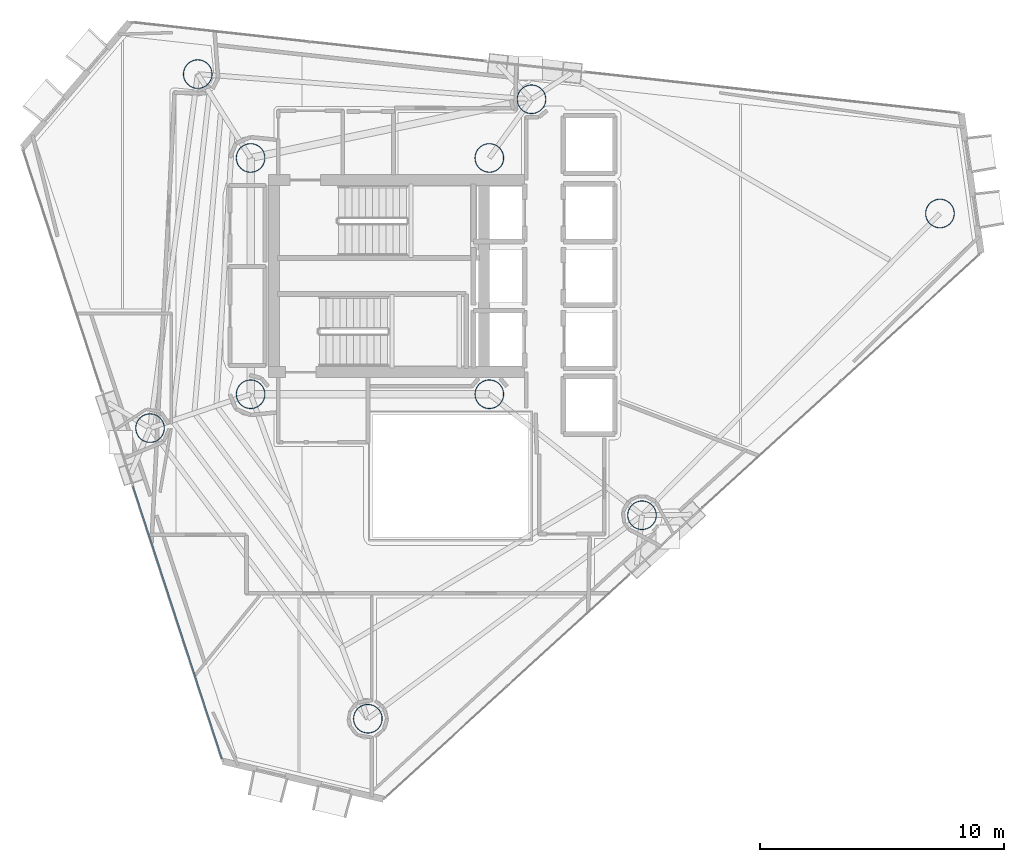
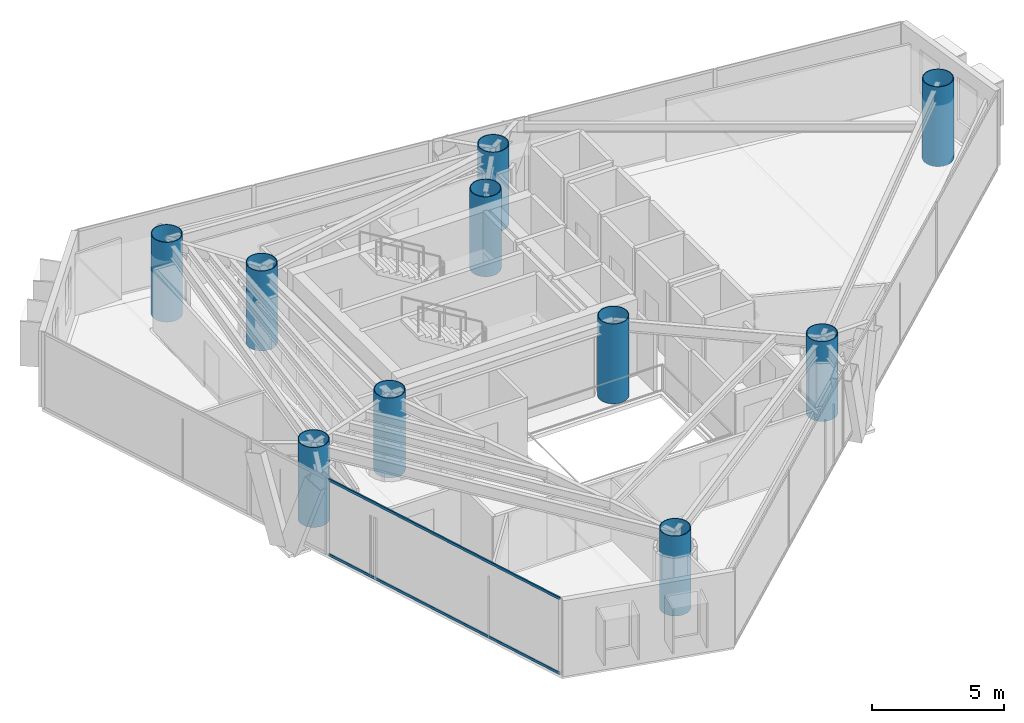
# One storey, part 1 of 24: 10 columns, 2 members, 1 element without a shape of its own.
"""IFC4 building model written with IfcOpenShell, lengths in metres."""

import ifcopenshell
import ifcopenshell.guid

model = None  # the IFC model being written
_history = None  # IfcOwnerHistory: only IFC2X3 demands one
_inside = {}  # id of a spatial element -> (the spatial element, [elements in it])
_under = {}  # id of a project, library or spatial element -> (it, [spatial elements below it])
_declared = {}  # id of a project -> (the project, [libraries it declares])
_typed = {}  # id of a type object -> (the type object, [elements of that type])
_made_of = {}  # id of a material, layer set ... -> (it, [elements and type objects made of it])


def new_model(schema):
    """Start an empty IFC model of exactly this schema.

    Asked for "IFC4X3", IfcOpenShell would pick the latest addendum, in which some entities
    have other attributes; the version numbers below select the first issue.
    IFC2X3 requires an IfcOwnerHistory on every rooted entity: one is made here for all.
    """
    global model, _history
    if schema == "IFC4X3":
        model = ifcopenshell.file(schema_version=(4, 3, 0, 0))
    else:
        model = ifcopenshell.file(schema=schema)
    _inside.clear()
    _under.clear()
    _declared.clear()
    _typed.clear()
    _made_of.clear()
    _history = None
    if model.schema == "IFC2X3":
        org = make("IfcOrganization", Name="unknown")
        user = make(
            "IfcPersonAndOrganization",
            ThePerson=make("IfcPerson", FamilyName="unknown"),
            TheOrganization=org,
        )
        app = make(
            "IfcApplication",
            ApplicationDeveloper=org,
            Version="unknown",
            ApplicationFullName="unknown",
            ApplicationIdentifier="unknown",
        )
        _history = make(
            "IfcOwnerHistory",
            OwningUser=user,
            OwningApplication=app,
            ChangeAction="ADDED",
            CreationDate=0,
        )
    return model


def make(cls, **values):
    """One entity of the class cls with the attributes given. An attribute that is None is left unset."""
    return model.create_entity(
        cls, **{name: value for name, value in values.items() if value is not None}
    )


def rooted(cls, **values):
    """An entity with a GlobalId (a new one), such as an element, a storey or a relation."""
    return make(cls, GlobalId=ifcopenshell.guid.new(), OwnerHistory=_history, **values)


def si_unit(unit_type, name, prefix=None):
    """IfcSIUnit, for example si_unit("LENGTHUNIT", "METRE", prefix="MILLI")."""
    return make("IfcSIUnit", UnitType=unit_type, Prefix=prefix, Name=name)


def assignment(units):
    """IfcUnitAssignment: the units of a project."""
    return None if units is None else make("IfcUnitAssignment", Units=units)


def point(xyz):
    """IfcCartesianPoint."""
    return None if xyz is None else make("IfcCartesianPoint", Coordinates=xyz)


def direction(xyz):
    """IfcDirection."""
    return None if xyz is None else make("IfcDirection", DirectionRatios=xyz)


def frame(location, z_axis=None, x_axis=None):
    """IfcAxis2Placement3D, a coordinate frame: its origin and axes. An axis left out is left unset."""
    return make(
        "IfcAxis2Placement3D",
        Location=point(location),
        Axis=direction(z_axis),
        RefDirection=direction(x_axis),
    )


def frame_2d(location, x_axis=None):
    """IfcAxis2Placement2D, a coordinate frame in the plane: its origin and x axis."""
    return make(
        "IfcAxis2Placement2D", Location=point(location), RefDirection=direction(x_axis)
    )


def origin():
    """The frame at (0, 0, 0) with its axes left unset."""
    return frame((0.0, 0.0, 0.0))


def origin_2d():
    """The frame at (0, 0) in the plane with its x axis left unset."""
    return frame_2d((0.0, 0.0))


def place(relative_to, where):
    """IfcLocalPlacement: puts the frame where relative to a parent placement (None: the world)."""
    return make(
        "IfcLocalPlacement", PlacementRelTo=relative_to, RelativePlacement=where
    )


def context(
    kind, dimensions, precision=None, world=None, true_north=None, identifier=None
):
    """IfcGeometricRepresentationContext, for example the 3D "Model" context."""
    return make(
        "IfcGeometricRepresentationContext",
        ContextIdentifier=identifier,
        ContextType=kind,
        CoordinateSpaceDimension=dimensions,
        Precision=precision,
        WorldCoordinateSystem=world,
        TrueNorth=true_north,
    )


def subcontext(parent, identifier, kind, view, scale=None):
    """IfcGeometricRepresentationSubContext, for example "Body" below "Model"."""
    return make(
        "IfcGeometricRepresentationSubContext",
        ContextIdentifier=identifier,
        ContextType=kind,
        ParentContext=parent,
        TargetScale=scale,
        TargetView=view,
    )


def project(units=None, contexts=None):
    """IfcProject with its units and contexts."""
    return rooted(
        "IfcProject",
        Name="project",
        RepresentationContexts=contexts,
        UnitsInContext=assignment(units),
    )


def spatial(cls, under=None, at=None, **own):
    """A site, building, storey or space (cls), placed at a placement, below another one or the project."""
    s = rooted(cls, ObjectPlacement=at, **own)
    if under is not None:
        _under.setdefault(under.id(), (under, []))[1].append(s)
    return s


def profile(cls, at=None, kind="AREA", **sizes):
    """A parametric profile (cls). Its sizes go by their IFC names, for example OverallWidth=200.0."""
    return make(cls, ProfileType=kind, Position=at, **sizes)


def hollow_rectangle(**sizes):
    """IfcRectangleHollowProfileDef."""
    return profile("IfcRectangleHollowProfileDef", **sizes)


def hollow_circle(**sizes):
    """IfcCircleHollowProfileDef."""
    return profile("IfcCircleHollowProfileDef", **sizes)


def extrude(swept, where, along, depth):
    """IfcExtrudedAreaSolid: the profile swept, set in the frame where, extruded along a direction by depth."""
    return make(
        "IfcExtrudedAreaSolid",
        SweptArea=swept,
        Position=where,
        ExtrudedDirection=direction(along),
        Depth=depth,
    )


def shape(context_of_items, identifier, shape_type, items):
    """IfcShapeRepresentation: the items that make up one representation, for example the "Body"."""
    return make(
        "IfcShapeRepresentation",
        ContextOfItems=context_of_items,
        RepresentationIdentifier=identifier,
        RepresentationType=shape_type,
        Items=items,
    )


def material(Name=None, Category=None):
    """IfcMaterial."""
    return make("IfcMaterial", Name=Name, Category=Category)


def layer(
    of_material, thickness, ventilated=None, Name=None, Category=None, Priority=None
):
    """IfcMaterialLayer: one layer of a wall or slab, of a material (None: an air gap)."""
    return make(
        "IfcMaterialLayer",
        Material=of_material,
        LayerThickness=thickness,
        IsVentilated=ventilated,
        Name=Name,
        Category=Category,
        Priority=Priority,
    )


def layer_set(layers, Name=None):
    """IfcMaterialLayerSet."""
    return make("IfcMaterialLayerSet", MaterialLayers=layers, LayerSetName=Name)


def material_profile(
    of_material, cross_section, Name=None, Category=None, Priority=None
):
    """IfcMaterialProfile: a cross section and its material."""
    return make(
        "IfcMaterialProfile",
        Name=Name,
        Material=of_material,
        Profile=cross_section,
        Priority=Priority,
        Category=Category,
    )


def profile_set(profiles, Name=None, composite=None):
    """IfcMaterialProfileSet."""
    return make(
        "IfcMaterialProfileSet",
        Name=Name,
        MaterialProfiles=profiles,
        CompositeProfile=composite,
    )


def made_of(thing, what):
    """Note that an element or type object is made of a material, layer set ...; save() writes the relation."""
    if what is not None:
        _made_of.setdefault(what.id(), (what, []))[1].append(thing)
    return thing


def type_object(cls, material=None, **own):
    """A type object (cls), such as IfcWallType, which elements share."""
    return made_of(rooted(cls, **own), material)


def element(
    cls,
    number,
    at=None,
    inside=None,
    cuts=None,
    type_object=None,
    material=None,
    context=None,
    identifier="Body",
    shape_type=None,
    held_by="IfcProductDefinitionShape",
    body=None,
    shapes=None,
    **own,
):
    """One element of the class cls, such as IfcWall. Its Tag is "e" and its number.

    at: its placement. inside: the storey or other place that contains it. cuts: it is an
    opening in that element (IfcRelVoidsElement). A single representation is given by context,
    identifier, shape_type and body (its items); several are given by shapes. held_by: the class
    of the entity that holds the representations. save() writes the other relations.
    """
    e = rooted(cls, Tag="e%d" % number, ObjectPlacement=at, **own)
    if body is not None:
        shapes = [shape(context, identifier, shape_type, body)]
    if shapes is not None:
        e.Representation = make(held_by, Representations=shapes)
    if inside is not None:
        _inside.setdefault(inside.id(), (inside, []))[1].append(e)
    if cuts is not None:
        rooted(
            "IfcRelVoidsElement", RelatingBuildingElement=cuts, RelatedOpeningElement=e
        )
    if type_object is not None:
        _typed.setdefault(type_object.id(), (type_object, []))[1].append(e)
    return made_of(e, material)


def aggregate(whole, parts):
    """IfcRelAggregates: a whole, such as a stair, and the parts it consists of."""
    return rooted("IfcRelAggregates", RelatingObject=whole, RelatedObjects=parts)


def save(model, path):
    """Write the relations noted so far, then the file.

    IfcRelAggregates (storeys below a building ...), IfcRelContainedInSpatialStructure (elements
    in a storey), IfcRelDefinesByType, IfcRelAssociatesMaterial and IfcRelDeclares: one each for
    every whole, place, type object, material and project.
    """
    for whole, parts in _under.values():
        aggregate(whole, parts)
    for where, things in _inside.values():
        rooted(
            "IfcRelContainedInSpatialStructure",
            RelatedElements=things,
            RelatingStructure=where,
        )
    for kind, things in _typed.values():
        rooted("IfcRelDefinesByType", RelatedObjects=things, RelatingType=kind)
    for what, things in _made_of.values():
        rooted("IfcRelAssociatesMaterial", RelatedObjects=things, RelatingMaterial=what)
    for by, libraries in _declared.values():
        rooted("IfcRelDeclares", RelatingContext=by, RelatedDefinitions=libraries)
    model.write(path)


model = new_model("IFC4")

# Units and contexts
model_context = context("Model", 3, precision=1e-05, world=origin(), true_north=direction((0.0, 1.0)))
body_context = subcontext(model_context, "Body", "Model", "MODEL_VIEW")
ifc_project = project(units=[si_unit("LENGTHUNIT", "METRE"), si_unit("AREAUNIT", "SQUARE_METRE"), si_unit("VOLUMEUNIT", "CUBIC_METRE"), si_unit("PLANEANGLEUNIT", "RADIAN"), si_unit("MASSUNIT", "GRAM", prefix="KILO")], contexts=[model_context])

# Site, building, storey
site_placement = place(None, origin())
site = spatial("IfcSite", under=ifc_project, at=site_placement, CompositionType="ELEMENT")
building_placement = place(site_placement, origin())
building = spatial("IfcBuilding", under=site, at=building_placement, Name="Qianvela Tower", CompositionType="ELEMENT")
storey_placement = place(building_placement, frame((0.0, 0.0, 222.5)))
storey = spatial("IfcBuildingStorey", under=building, at=storey_placement, Name="L57", CompositionType="ELEMENT", Elevation=222.5)

# Columns
ifc_material_1 = material(Name="Steel Q420GJC", Category="steel")
ifc_material_profile_1 = material_profile(ifc_material_1, hollow_circle(Radius=0.60009765625, WallThickness=0.030029296875, at=origin_2d()), Name="CFT-1200x30")
ifc_profile_set_1 = profile_set([ifc_material_profile_1], Name="Steel Q420GJC")
column_type = type_object("IfcColumnType", Name="COL-CFT-1200x30", PredefinedType="COLUMN", material=ifc_profile_set_1)
for number, where, z_axis, x_axis, name in (
    (1, (28.60009765625, 33.550048828125, 0.0), (0.0, 0.0, 1.0), (1.0, 0.0, 0.0), "L57 Core Corner Mega-Column CC-NW"),
    (2, (28.60009765625, 23.85009765625, 0.0), (0.0, 0.0, 1.0), (1.0, 0.0, 0.0), "L57 Core Corner Mega-Column CC-SW"),
    (3, (38.39990234375, 33.550048828125, 0.0), (0.0, 0.0, 1.0), (1.0, 0.0, 0.0), "L57 Core Corner Mega-Column CC-NE"),
    (4, (38.39990234375, 23.85009765625, 0.0), (0.0, 0.0, 1.0), (1.0, 0.0, 0.0), "L57 Core Corner Mega-Column CC-SE"),
    (5, (56.89697265625, 31.27001953125, 0.0), (0.0, 0.0, 1.0), (1.0, 0.0, 0.0), "L57 Zone Z5 CFT Mega-Column C1"),
    (6, (40.131103515625, 35.9580078125, 0.0), (0.0, 0.0, 1.0), (1.0, 0.0, 0.0), "L57 Zone Z5 CFT Mega-Column C2"),
    (7, (26.430908203125, 36.991943359375, 0.0), (0.0, 0.0, 1.0), (1.0, 0.0, 0.0), "L57 Zone Z5 CFT Mega-Column C3"),
    (8, (24.471923828125, 22.4599609375, 0.0), (0.0, 0.0, 1.0), (1.0, 0.0, 0.0), "L57 Zone Z5 CFT Mega-Column C4"),
    (9, (33.4130859375, 10.531005859375, 0.0), (0.0, 0.0, 1.0), (1.0, 0.0, 0.0), "L57 Zone Z5 CFT Mega-Column C5"),
    (10, (44.6669921875, 18.883056640625, 0.0), (0.0, 0.0, 1.0), (1.0, 0.0, 0.0), "L57 Zone Z5 CFT Mega-Column C6"),
):
    element("IfcColumn", number, at=place(storey_placement, frame(where, z_axis=z_axis, x_axis=x_axis)), inside=storey, type_object=column_type, Name=name, PredefinedType="COLUMN", context=body_context, shape_type="SweptSolid", body=[
        extrude(hollow_circle(Radius=0.60009765625, WallThickness=0.030029296875, at=origin_2d()), origin(), (0.0, 0.0, 1.0), 3.699951171875),
    ])

# Curtain wall, members
ifc_material_2 = material(Name="Anodised Architectural Aluminium and Low-E Glass", Category="aluminium")
ifc_layer = layer(ifc_material_2, 0.159912109375)
ifc_layer_set = layer_set([ifc_layer], Name="Anodised Architectural Aluminium and Low-E Glass")
curtain_wall_type = type_object("IfcCurtainWallType", Name="CW-COLIV-Z56", PredefinedType="USERDEFINED", material=ifc_layer_set)
curtain_wall_placement = place(storey_placement, origin())
curtain_wall = element("IfcCurtainWall", 11, at=curtain_wall_placement, inside=storey, type_object=curtain_wall_type, Name="L57 CW-COLIV-Z56 Curtain Wall 04C", ObjectType="CURTAIN_WALL_SYSTEM", PredefinedType="USERDEFINED")
ifc_material_3 = material(Name="Anodised Architectural Aluminium 6063-T6", Category="aluminium")
ifc_material_profile_2 = material_profile(ifc_material_3, hollow_rectangle(XDim=0.06005859375, YDim=0.114990234375, WallThickness=0.00390625, at=origin_2d()), Name="ALU-TRAN-60x115")
ifc_profile_set_2 = profile_set([ifc_material_profile_2], Name="Anodised Architectural Aluminium 6063-T6")
member_type = type_object("IfcMemberType", Name="CW-COLIV-Z56-TRAN", PredefinedType="USERDEFINED", material=ifc_profile_set_2)
member_1_placement = place(storey_placement, frame((23.771728515625, 20.074951171875, 0.030029296875), z_axis=(0.310351652701, -0.950621823685, 0.0), x_axis=(0.950621823685, 0.310351652701, 0.0)))
member_1 = element("IfcMember", 12, at=member_1_placement, type_object=member_type, Name="CW-5 transom 1.1", ObjectType="TRANSOM", PredefinedType="USERDEFINED", context=body_context, shape_type="SweptSolid", body=[
    extrude(hollow_rectangle(XDim=0.06005859375, YDim=0.114990234375, WallThickness=0.00390625, at=origin_2d()), origin(), (0.0, 0.0, 1.0), 11.76611328125),
])
member_2_placement = place(storey_placement, frame((23.771728515625, 20.074951171875, 3.489990234375), z_axis=(0.310351652701, -0.950621823685, 0.0), x_axis=(0.950621823685, 0.310351652701, 0.0)))
member_2 = element("IfcMember", 13, at=member_2_placement, type_object=member_type, Name="CW-5 transom 1.2", ObjectType="TRANSOM", PredefinedType="USERDEFINED", context=body_context, shape_type="SweptSolid", body=[
    extrude(hollow_rectangle(XDim=0.06005859375, YDim=0.114990234375, WallThickness=0.00390625, at=origin_2d()), origin(), (0.0, 0.0, 1.0), 11.76611328125),
])
aggregate(curtain_wall, [member_1, member_2])

save(model, "model.ifc")
